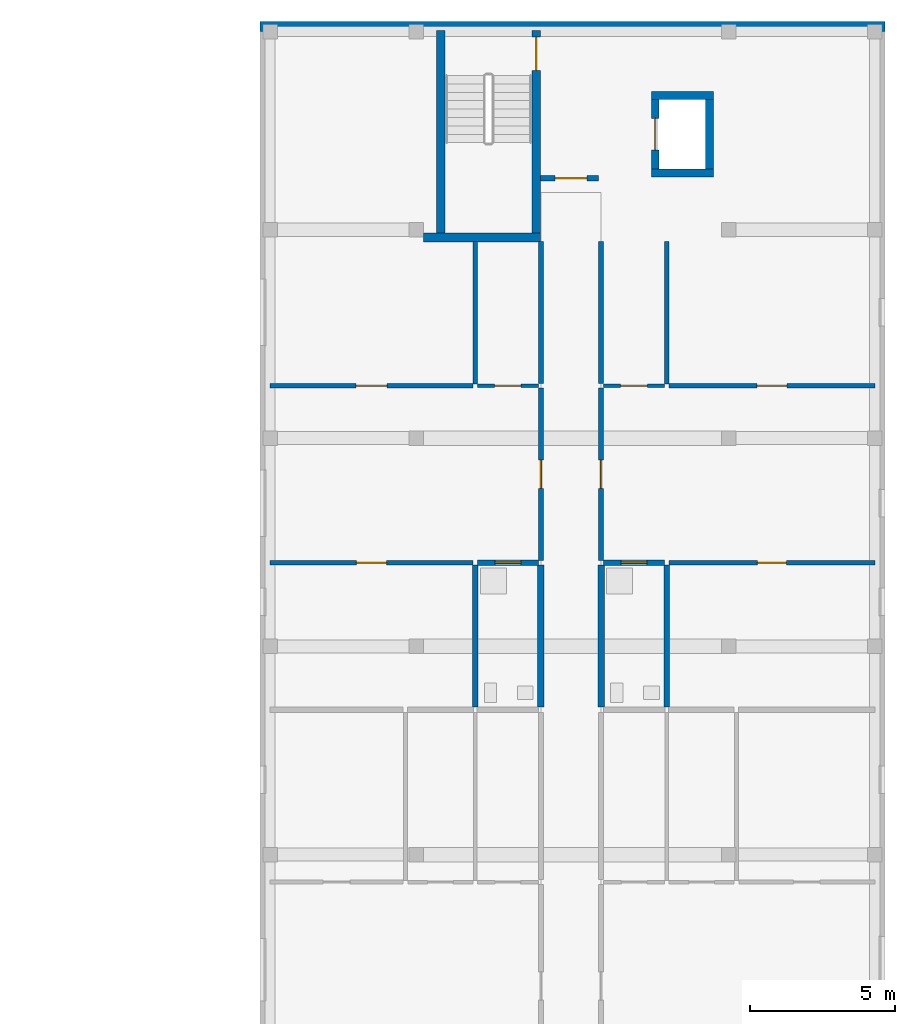
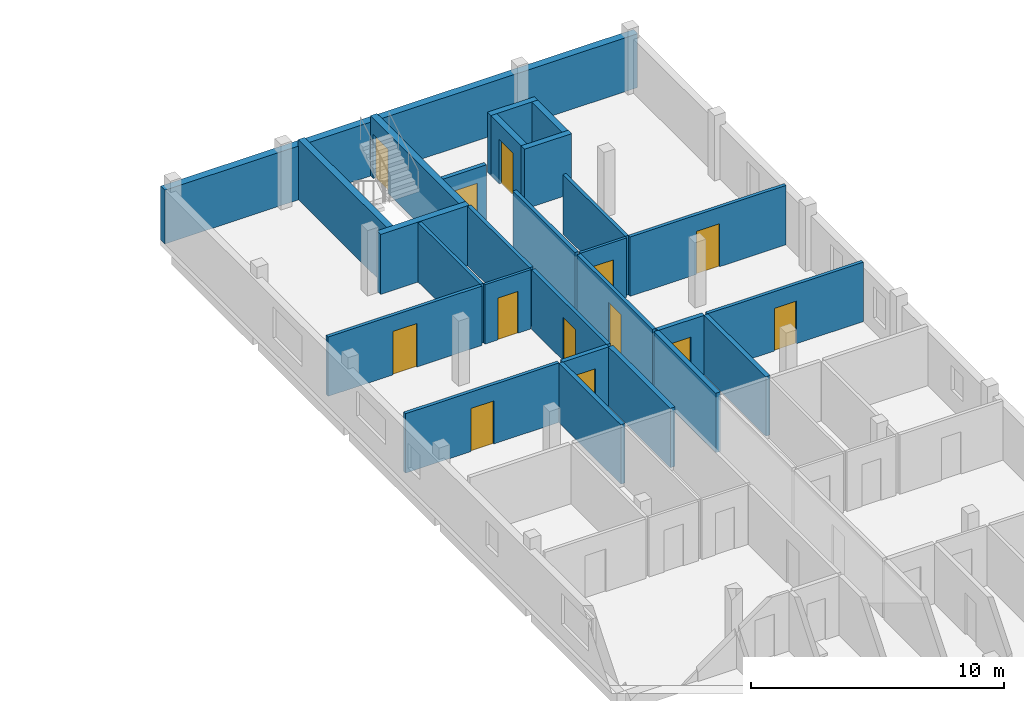
# One storey, part 18 of 29: 27 walls, 13 doors, 13 openings.
"""IFC4 building model written with IfcOpenShell, lengths in metres."""

from ifc_helpers import new_model, si_unit, derived_unit, direction, frame, frame_2d, origin, place, context, subcontext, project, spatial, rectangle, extrude, material, layer, layer_set, type_object, element, fill, save


model = new_model("IFC4")

# Units and contexts
model_context = context("Model", 3, precision=1e-05, world=origin(), true_north=direction((0.0, 1.0)))
body_context = subcontext(model_context, "Body", "Model", "MODEL_VIEW")
ifc_project = project(units=[si_unit("LENGTHUNIT", "METRE"), si_unit("AREAUNIT", "SQUARE_METRE"), si_unit("VOLUMEUNIT", "CUBIC_METRE"), si_unit("PLANEANGLEUNIT", "RADIAN"), si_unit("MASSUNIT", "GRAM", prefix="KILO"), derived_unit("THERMALTRANSMITTANCEUNIT", [(si_unit("MASSUNIT", "GRAM", prefix="KILO"), 1), (si_unit("TIMEUNIT", "SECOND"), -3), (si_unit("THERMODYNAMICTEMPERATUREUNIT", "KELVIN"), -1)])], contexts=[model_context])

# Site, building, storey
site_placement = place(None, origin())
site = spatial("IfcSite", under=ifc_project, at=site_placement, CompositionType="ELEMENT")
building_placement = place(site_placement, origin())
building = spatial("IfcBuilding", under=site, at=building_placement, Name="Ochrekiln Boulevard Commons", CompositionType="ELEMENT")
storey_placement = place(building_placement, frame((0.0, 0.0, 37.27490234375)))
storey = spatial("IfcBuildingStorey", under=building, at=storey_placement, Name="L11", CompositionType="ELEMENT", Elevation=37.27490234375)

# Wall
ifc_material_1 = material(Name="Iron-spot brown clinker brick masonry ASTM C216 Grade SW", Category="masonry")
ifc_layer_1 = layer(ifc_material_1, 0.340087890625)
ifc_layer_set_1 = layer_set([ifc_layer_1], Name="Iron-spot brown clinker brick masonry ASTM C216 Grade SW")
wall_type_1 = type_object("IfcWallType", Name="WL-EXT-IRON-340", PredefinedType="SOLIDWALL", material=ifc_layer_set_1)
wall_1_placement = place(storey_placement, frame((151.199951171875, 118.6298828125, 0.0), z_axis=(0.0, 0.0, 1.0), x_axis=(1.0, 0.0, 0.0)))
element("IfcWall", 1, at=wall_1_placement, inside=storey, type_object=wall_type_1, Name="Block B L11 N Exterior Wall", PredefinedType="SOLIDWALL", context=body_context, shape_type="SweptSolid", body=[
    extrude(rectangle(XDim=21.60009765625, YDim=0.340087890625, at=frame_2d((10.800048828125, 0.0))), origin(), (0.0, 0.0, 1.0), 2.60009765625),
])

# Wall, opening, door
ifc_material_2 = material(Name="Moisture-resistant cementitious tile backer wall")
ifc_layer_2 = layer(ifc_material_2, 0.199951171875)
ifc_layer_set_2 = layer_set([ifc_layer_2], Name="Moisture-resistant cementitious tile backer wall")
wall_type_2 = type_object("IfcWallType", Name="WL-PLM-200", PredefinedType="PLUMBINGWALL", material=ifc_layer_set_2)
wall_2_placement = place(storey_placement, frame((158.719970703125, 100.090087890625, 0.0), z_axis=(0.0, 0.0, 1.0), x_axis=(1.0, 0.0, 0.0)))
wall_2 = element("IfcWall", 2, at=wall_2_placement, inside=storey, type_object=wall_type_2, Name="L11 Interior Wall W-PW200", PredefinedType="PLUMBINGWALL", context=body_context, shape_type="SweptSolid", body=[
    extrude(rectangle(XDim=2.10693359375, YDim=0.199951171875, at=frame_2d((1.053466796875, 0.0))), origin(), (0.0, 0.0, 1.0), 2.8701171875),
])
opening_1_placement = place(wall_2_placement, frame((0.60498046875, 0.0, 0.0)))
opening_1 = element("IfcOpeningElement", 3, at=opening_1_placement, cuts=wall_2, Name="Opening D-L11-1276", PredefinedType="OPENING", context=body_context, shape_type="SweptSolid", body=[
    extrude(rectangle(XDim=0.889892578125, YDim=2.030029296875, at=frame_2d((0.44482421875, 1.01513671875))), frame((0.0, 0.10986328125, 0.0), z_axis=(0.0, -1.0, 0.0), x_axis=(1.0, 0.0, 0.0)), (0.0, 0.0, 1.0), 0.219970703125),
])
ifc_material_3 = material(Name="Solid core architectural oak door leaf")
door_type_1 = type_object("IfcDoorType", Name="DR-INT-BTH-089", OperationType="NOTDEFINED", PredefinedType="DOOR", material=ifc_material_3)
door_1_placement = place(opening_1_placement, frame((0.889892578125, 0.0, 0.0), z_axis=(0.0, 0.0, 1.0), x_axis=(-1.0, 0.0, 0.0)))
door_1 = element("IfcDoor", 4, at=door_1_placement, inside=storey, type_object=door_type_1, Name="L11 Interior Door to Apartment Bathroom", OperationType="SINGLE_SWING_RIGHT", OverallHeight=2.030029296875, OverallWidth=0.889892578125, PredefinedType="DOOR", context=body_context, shape_type="SweptSolid", body=[
    extrude(rectangle(XDim=0.889892578125, YDim=2.030029296875, at=frame_2d((0.44482421875, 1.01513671875))), frame((0.0, 0.02490234375, 0.0), z_axis=(0.0, -1.0, 0.0), x_axis=(1.0, 0.0, 0.0)), (0.0, 0.0, 1.0), 0.050048828125),
])
fill(opening_1, door_1)

# Wall
wall_3_placement = place(storey_placement, frame((158.639892578125, 95.097900390625, 0.0), z_axis=(0.0, 0.0, 1.0), x_axis=(0.0, 1.0, 0.0)))
element("IfcWall", 5, at=wall_3_placement, inside=storey, type_object=wall_type_2, Name="L11 Interior Wall W-PW200", PredefinedType="PLUMBINGWALL", context=body_context, shape_type="SweptSolid", body=[
    extrude(rectangle(XDim=4.912109375, YDim=0.199951171875, at=frame_2d((2.4560546875, 0.0))), origin(), (0.0, 0.0, 1.0), 2.8701171875),
])

# Wall, opening, door
wall_4_placement = place(storey_placement, frame((163.072998046875, 100.090087890625, 0.0), z_axis=(0.0, 0.0, 1.0), x_axis=(1.0, 0.0, 0.0)))
wall_4 = element("IfcWall", 6, at=wall_4_placement, inside=storey, type_object=wall_type_2, Name="L11 Interior Wall W-PW200", PredefinedType="PLUMBINGWALL", context=body_context, shape_type="SweptSolid", body=[
    extrude(rectangle(XDim=2.10693359375, YDim=0.199951171875, at=frame_2d((1.053466796875, 0.0))), origin(), (0.0, 0.0, 1.0), 2.8701171875),
])
opening_2_placement = place(wall_4_placement, frame((0.612060546875, 0.0, 0.0)))
opening_2 = element("IfcOpeningElement", 7, at=opening_2_placement, cuts=wall_4, Name="Opening D-L11-1287", PredefinedType="OPENING", context=body_context, shape_type="SweptSolid", body=[
    extrude(rectangle(XDim=0.889892578125, YDim=2.030029296875, at=frame_2d((0.44482421875, 1.01513671875))), frame((0.0, 0.10986328125, 0.0), z_axis=(0.0, -1.0, 0.0), x_axis=(1.0, 0.0, 0.0)), (0.0, 0.0, 1.0), 0.219970703125),
])
door_2_placement = place(opening_2_placement, frame((0.889892578125, 0.0, 0.0), z_axis=(0.0, 0.0, 1.0), x_axis=(-1.0, 0.0, 0.0)))
door_2 = element("IfcDoor", 8, at=door_2_placement, inside=storey, type_object=door_type_1, Name="L11 Interior Door to Apartment Bathroom", OperationType="SINGLE_SWING_LEFT", OverallHeight=2.030029296875, OverallWidth=0.889892578125, PredefinedType="DOOR", context=body_context, shape_type="SweptSolid", body=[
    extrude(rectangle(XDim=0.889892578125, YDim=2.030029296875, at=frame_2d((0.44482421875, 1.01513671875))), frame((0.0, 0.02490234375, 0.0), z_axis=(0.0, -1.0, 0.0), x_axis=(1.0, 0.0, 0.0)), (0.0, 0.0, 1.0), 0.050048828125),
])
fill(opening_2, door_2)

# Walls
wall_5_placement = place(storey_placement, frame((165.260009765625, 95.097900390625, 0.0), z_axis=(0.0, 0.0, 1.0), x_axis=(0.0, 1.0, 0.0)))
element("IfcWall", 9, at=wall_5_placement, inside=storey, type_object=wall_type_2, Name="L11 Interior Wall W-PW200", PredefinedType="PLUMBINGWALL", context=body_context, shape_type="SweptSolid", body=[
    extrude(rectangle(XDim=4.912109375, YDim=0.199951171875, at=frame_2d((2.4560546875, 0.0))), origin(), (0.0, 0.0, 1.0), 2.8701171875),
])
ifc_layer_3 = layer(ifc_material_2, 0.219970703125)
ifc_layer_set_3 = layer_set([ifc_layer_3], Name="Moisture-resistant cementitious tile backer wall")
wall_type_3 = type_object("IfcWallType", Name="WL-PLM-220", PredefinedType="PLUMBINGWALL", material=ifc_layer_set_3)
for number, where, z_axis, x_axis, name in (
    (10, (160.909912109375, 95.097900390625, 0.0), (0.0, 0.0, 1.0), (0.0, 1.0, 0.0), "L11 Interior Wall W-PW220"),
    (11, (162.989990234375, 95.097900390625, 0.0), (0.0, 0.0, 1.0), (0.0, 1.0, 0.0), "L11 Interior Wall W-PW220"),
):
    element("IfcWall", number, at=place(storey_placement, frame(where, z_axis=z_axis, x_axis=x_axis)), inside=storey, type_object=wall_type_3, Name=name, PredefinedType="PLUMBINGWALL", context=body_context, shape_type="SweptSolid", body=[
        extrude(rectangle(XDim=4.912109375, YDim=0.219970703125, at=frame_2d((2.4560546875, 0.0))), origin(), (0.0, 0.0, 1.0), 2.8701171875),
    ])

# Wall, opening, door
ifc_material_4 = material(Name="Fire-rated Type X gypsum board on steel studs", Category="steel")
ifc_layer_4 = layer(ifc_material_4, 0.1650390625)
ifc_layer_set_4 = layer_set([ifc_layer_4], Name="Fire-rated Type X gypsum board on steel studs")
wall_type_4 = type_object("IfcWallType", Name="WL-PT-CORR-165", PredefinedType="PARTITIONING", material=ifc_layer_set_4)
wall_6_placement = place(storey_placement, frame((160.909912109375, 100.169921875, 0.0), z_axis=(0.0, 0.0, 1.0), x_axis=(0.0, 1.0, 0.0)))
wall_6 = element("IfcWall", 12, at=wall_6_placement, inside=storey, type_object=wall_type_4, Name="L11 Interior Wall W-PC165", PredefinedType="PARTITIONING", context=body_context, shape_type="SweptSolid", body=[
    extrude(rectangle(XDim=5.9580078125, YDim=0.1650390625, at=frame_2d((2.97900390625, 0.0))), origin(), (0.0, 0.0, 1.0), 2.8701171875),
])
opening_3_placement = place(wall_6_placement, frame((2.489013671875, 0.0, 0.0)))
opening_3 = element("IfcOpeningElement", 13, at=opening_3_placement, cuts=wall_6, Name="Opening D-L11-1266", PredefinedType="OPENING", context=body_context, shape_type="SweptSolid", body=[
    extrude(rectangle(XDim=0.97998046875, YDim=2.080078125, at=frame_2d((0.489990234375, 1.0400390625))), frame((0.0, 0.092529296875, 0.0), z_axis=(0.0, -1.0, 0.0), x_axis=(1.0, 0.0, 0.0)), (0.0, 0.0, 1.0), 0.18505859375),
])
door_type_2 = type_object("IfcDoorType", Name="DR-APT-60", OperationType="NOTDEFINED", PredefinedType="DOOR", material=ifc_material_3)
door_3_placement = place(opening_3_placement, origin())
door_3 = element("IfcDoor", 14, at=door_3_placement, inside=storey, type_object=door_type_2, Name="L11 Interior Door to Two-Bedroom Apartment Living Room", OperationType="SINGLE_SWING_RIGHT", OverallHeight=2.080078125, OverallWidth=0.97998046875, PredefinedType="DOOR", context=body_context, shape_type="SweptSolid", body=[
    extrude(rectangle(XDim=0.97998046875, YDim=2.080078125, at=frame_2d((0.489990234375, 1.0400390625))), frame((0.0, 0.02490234375, 0.0), z_axis=(0.0, -1.0, 0.0), x_axis=(1.0, 0.0, 0.0)), (0.0, 0.0, 1.0), 0.050048828125),
])
fill(opening_3, door_3)

# Wall
wall_7_placement = place(storey_placement, frame((160.909912109375, 106.2880859375, 0.0), z_axis=(0.0, 0.0, 1.0), x_axis=(0.0, 1.0, 0.0)))
element("IfcWall", 15, at=wall_7_placement, inside=storey, type_object=wall_type_4, Name="L11 Interior Wall W-PC165", PredefinedType="PARTITIONING", context=body_context, shape_type="SweptSolid", body=[
    extrude(rectangle(XDim=4.911865234375, YDim=0.1650390625, at=frame_2d((2.4560546875, 0.0))), origin(), (0.0, 0.0, 1.0), 2.8701171875),
])

# Wall, opening, door
wall_8_placement = place(storey_placement, frame((162.989990234375, 100.169921875, 0.0), z_axis=(0.0, 0.0, 1.0), x_axis=(0.0, 1.0, 0.0)))
wall_8 = element("IfcWall", 16, at=wall_8_placement, inside=storey, type_object=wall_type_4, Name="L11 Interior Wall W-PC165", PredefinedType="PARTITIONING", context=body_context, shape_type="SweptSolid", body=[
    extrude(rectangle(XDim=5.9580078125, YDim=0.1650390625, at=frame_2d((2.97900390625, 0.0))), origin(), (0.0, 0.0, 1.0), 2.8701171875),
])
opening_4_placement = place(wall_8_placement, frame((2.489013671875, 0.0, 0.0)))
opening_4 = element("IfcOpeningElement", 17, at=opening_4_placement, cuts=wall_8, Name="Opening D-L11-1268", PredefinedType="OPENING", context=body_context, shape_type="SweptSolid", body=[
    extrude(rectangle(XDim=0.97998046875, YDim=2.080078125, at=frame_2d((0.489990234375, 1.0400390625))), frame((0.0, 0.092529296875, 0.0), z_axis=(0.0, -1.0, 0.0), x_axis=(1.0, 0.0, 0.0)), (0.0, 0.0, 1.0), 0.18505859375),
])
door_4_placement = place(opening_4_placement, frame((0.97998046875, 0.0, 0.0), z_axis=(0.0, 0.0, 1.0), x_axis=(-1.0, 0.0, 0.0)))
door_4 = element("IfcDoor", 18, at=door_4_placement, inside=storey, type_object=door_type_2, Name="L11 Interior Door to Two-Bedroom Apartment Living Room", OperationType="SINGLE_SWING_RIGHT", OverallHeight=2.080078125, OverallWidth=0.97998046875, PredefinedType="DOOR", context=body_context, shape_type="SweptSolid", body=[
    extrude(rectangle(XDim=0.97998046875, YDim=2.080078125, at=frame_2d((0.489990234375, 1.0400390625))), frame((0.0, 0.02490234375, 0.0), z_axis=(0.0, -1.0, 0.0), x_axis=(1.0, 0.0, 0.0)), (0.0, 0.0, 1.0), 0.050048828125),
])
fill(opening_4, door_4)

# Wall
wall_9_placement = place(storey_placement, frame((162.989990234375, 106.2880859375, 0.0), z_axis=(0.0, 0.0, 1.0), x_axis=(0.0, 1.0, 0.0)))
element("IfcWall", 19, at=wall_9_placement, inside=storey, type_object=wall_type_4, Name="L11 Interior Wall W-PC165", PredefinedType="PARTITIONING", context=body_context, shape_type="SweptSolid", body=[
    extrude(rectangle(XDim=4.911865234375, YDim=0.1650390625, at=frame_2d((2.4560546875, 0.0))), origin(), (0.0, 0.0, 1.0), 2.8701171875),
])

# Wall, opening, door
ifc_layer_5 = layer(ifc_material_4, 0.18994140625)
ifc_layer_set_5 = layer_set([ifc_layer_5], Name="Fire-rated Type X gypsum board on steel studs")
wall_type_5 = type_object("IfcWallType", Name="WL-PT-LBY-190", PredefinedType="PARTITIONING", material=ifc_layer_set_5)
wall_10_placement = place(storey_placement, frame((160.89990234375, 113.3798828125, 0.0), z_axis=(0.0, 0.0, 1.0), x_axis=(1.0, 0.0, 0.0)))
wall_10 = element("IfcWall", 20, at=wall_10_placement, inside=storey, type_object=wall_type_5, Name="L11 Interior Wall W-PL190", PredefinedType="PARTITIONING", context=body_context, shape_type="SweptSolid", body=[
    extrude(rectangle(XDim=2.0, YDim=0.18994140625, at=frame_2d((1.0, 0.0))), origin(), (0.0, 0.0, 1.0), 2.8701171875),
])
opening_5_placement = place(wall_10_placement, frame((0.5, 0.0, 0.0)))
opening_5 = element("IfcOpeningElement", 21, at=opening_5_placement, cuts=wall_10, Name="Opening D-L11-1263", PredefinedType="OPENING", context=body_context, shape_type="SweptSolid", body=[
    extrude(rectangle(XDim=1.10009765625, YDim=2.1201171875, at=frame_2d((0.550048828125, 1.06005859375))), frame((0.0, 0.10498046875, 0.0), z_axis=(0.0, -1.0, 0.0), x_axis=(1.0, 0.0, 0.0)), (0.0, 0.0, 1.0), 0.2099609375),
])
ifc_material_5 = material(Name="Hollow metal fire-rated steel door assembly", Category="steel")
door_type_3 = type_object("IfcDoorType", Name="DR-LOBBY-60", OperationType="NOTDEFINED", PredefinedType="DOOR", material=ifc_material_5)
door_5_placement = place(opening_5_placement, origin())
door_5 = element("IfcDoor", 22, at=door_5_placement, inside=storey, type_object=door_type_3, Name="L11 Interior Door to Fire Service Access Elevator Lobby", OperationType="SINGLE_SWING_LEFT", OverallHeight=2.1201171875, OverallWidth=1.10009765625, PredefinedType="DOOR", context=body_context, shape_type="SweptSolid", body=[
    extrude(rectangle(XDim=1.10009765625, YDim=2.1201171875, at=frame_2d((0.550048828125, 1.06005859375))), frame((0.0, 0.02490234375, 0.0), z_axis=(0.0, -1.0, 0.0), x_axis=(1.0, 0.0, 0.0)), (0.0, 0.0, 1.0), 0.050048828125),
])
fill(opening_5, door_5)

ifc_layer_6 = layer(ifc_material_4, 0.1201171875)
ifc_layer_set_6 = layer_set([ifc_layer_6], Name="Fire-rated Type X gypsum board on steel studs")
wall_type_6 = type_object("IfcWallType", Name="WL-PT-LGT-120", PredefinedType="PARTITIONING", material=ifc_layer_set_6)
wall_11_placement = place(storey_placement, frame((158.719970703125, 106.2080078125, 0.0), z_axis=(0.0, 0.0, 1.0), x_axis=(1.0, 0.0, 0.0)))
wall_11 = element("IfcWall", 23, at=wall_11_placement, inside=storey, type_object=wall_type_6, Name="L11 Interior Wall W-PL120", PredefinedType="PARTITIONING", context=body_context, shape_type="SweptSolid", body=[
    extrude(rectangle(XDim=2.10693359375, YDim=0.1201171875, at=frame_2d((1.053466796875, 0.0))), origin(), (0.0, 0.0, 1.0), 2.8701171875),
])
opening_6_placement = place(wall_11_placement, frame((0.590087890625, 0.0, 0.0)))
opening_6 = element("IfcOpeningElement", 24, at=opening_6_placement, cuts=wall_11, Name="Opening D-L11-1277", PredefinedType="OPENING", context=body_context, shape_type="SweptSolid", body=[
    extrude(rectangle(XDim=0.919921875, YDim=2.02001953125, at=frame_2d((0.4599609375, 1.010009765625))), frame((0.0, 0.070068359375, 0.0), z_axis=(0.0, -1.0, 0.0), x_axis=(1.0, 0.0, 0.0)), (0.0, 0.0, 1.0), 0.14013671875),
])
door_type_4 = type_object("IfcDoorType", Name="DR-INT-KIT-092", OperationType="NOTDEFINED", PredefinedType="DOOR", material=ifc_material_3)
door_6_placement = place(opening_6_placement, origin())
door_6 = element("IfcDoor", 25, at=door_6_placement, inside=storey, type_object=door_type_4, Name="L11 Interior Door to Apartment Kitchen", OperationType="SINGLE_SWING_LEFT", OverallHeight=2.02001953125, OverallWidth=0.919921875, PredefinedType="DOOR", context=body_context, shape_type="SweptSolid", body=[
    extrude(rectangle(XDim=0.919921875, YDim=2.02001953125, at=frame_2d((0.4599609375, 1.010009765625))), frame((0.0, 0.02490234375, 0.0), z_axis=(0.0, -1.0, 0.0), x_axis=(1.0, 0.0, 0.0)), (0.0, 0.0, 1.0), 0.050048828125),
])
fill(opening_6, door_6)

wall_12_placement = place(storey_placement, frame((163.072998046875, 106.2080078125, 0.0), z_axis=(0.0, 0.0, 1.0), x_axis=(1.0, 0.0, 0.0)))
wall_12 = element("IfcWall", 26, at=wall_12_placement, inside=storey, type_object=wall_type_6, Name="L11 Interior Wall W-PL120", PredefinedType="PARTITIONING", context=body_context, shape_type="SweptSolid", body=[
    extrude(rectangle(XDim=2.10693359375, YDim=0.1201171875, at=frame_2d((1.053466796875, 0.0))), origin(), (0.0, 0.0, 1.0), 2.8701171875),
])
opening_7_placement = place(wall_12_placement, frame((0.596923828125, 0.0, 0.0)))
opening_7 = element("IfcOpeningElement", 27, at=opening_7_placement, cuts=wall_12, Name="Opening D-L11-1288", PredefinedType="OPENING", context=body_context, shape_type="SweptSolid", body=[
    extrude(rectangle(XDim=0.919921875, YDim=2.02001953125, at=frame_2d((0.4599609375, 1.010009765625))), frame((0.0, 0.070068359375, 0.0), z_axis=(0.0, -1.0, 0.0), x_axis=(1.0, 0.0, 0.0)), (0.0, 0.0, 1.0), 0.14013671875),
])
door_7_placement = place(opening_7_placement, origin())
door_7 = element("IfcDoor", 28, at=door_7_placement, inside=storey, type_object=door_type_4, Name="L11 Interior Door to Apartment Kitchen", OperationType="SINGLE_SWING_RIGHT", OverallHeight=2.02001953125, OverallWidth=0.919921875, PredefinedType="DOOR", context=body_context, shape_type="SweptSolid", body=[
    extrude(rectangle(XDim=0.919921875, YDim=2.02001953125, at=frame_2d((0.4599609375, 1.010009765625))), frame((0.0, 0.02490234375, 0.0), z_axis=(0.0, -1.0, 0.0), x_axis=(1.0, 0.0, 0.0)), (0.0, 0.0, 1.0), 0.050048828125),
])
fill(opening_7, door_7)

ifc_layer_7 = layer(ifc_material_4, 0.14990234375)
ifc_layer_set_7 = layer_set([ifc_layer_7], Name="Fire-rated Type X gypsum board on steel studs")
wall_type_7 = type_object("IfcWallType", Name="WL-PT-STD-150", PredefinedType="PARTITIONING", material=ifc_layer_set_7)
wall_13_placement = place(storey_placement, frame((151.5400390625, 100.090087890625, 0.0), z_axis=(0.0, 0.0, 1.0), x_axis=(1.0, 0.0, 0.0)))
wall_13 = element("IfcWall", 29, at=wall_13_placement, inside=storey, type_object=wall_type_7, Name="L11 Interior Wall W-PS150", PredefinedType="PARTITIONING", context=body_context, shape_type="SweptSolid", body=[
    extrude(rectangle(XDim=7.02001953125, YDim=0.14990234375, at=frame_2d((3.510009765625, 0.0))), origin(), (0.0, 0.0, 1.0), 2.8701171875),
])
opening_8_placement = place(wall_13_placement, frame((2.9951171875, 0.0, 0.0)))
opening_8 = element("IfcOpeningElement", 30, at=opening_8_placement, cuts=wall_13, Name="Opening D-L11-1278", PredefinedType="OPENING", context=body_context, shape_type="SweptSolid", body=[
    extrude(rectangle(XDim=1.0400390625, YDim=2.080078125, at=frame_2d((0.52001953125, 1.0400390625))), frame((0.0, 0.0849609375, 0.0), z_axis=(0.0, -1.0, 0.0), x_axis=(1.0, 0.0, 0.0)), (0.0, 0.0, 1.0), 0.169921875),
])
door_type_5 = type_object("IfcDoorType", Name="DR-INT-BED-104", OperationType="NOTDEFINED", PredefinedType="DOOR", material=ifc_material_3)
door_8_placement = place(opening_8_placement, frame((1.0400390625, 0.0, 0.0), z_axis=(0.0, 0.0, 1.0), x_axis=(-1.0, 0.0, 0.0)))
door_8 = element("IfcDoor", 31, at=door_8_placement, inside=storey, type_object=door_type_5, Name="L11 Interior Door to Primary Apartment Bedroom", OperationType="SINGLE_SWING_RIGHT", OverallHeight=2.080078125, OverallWidth=1.0400390625, PredefinedType="DOOR", context=body_context, shape_type="SweptSolid", body=[
    extrude(rectangle(XDim=1.0400390625, YDim=2.080078125, at=frame_2d((0.52001953125, 1.0400390625))), frame((0.0, 0.02490234375, 0.0), z_axis=(0.0, -1.0, 0.0), x_axis=(1.0, 0.0, 0.0)), (0.0, 0.0, 1.0), 0.050048828125),
])
fill(opening_8, door_8)

wall_14_placement = place(storey_placement, frame((151.5400390625, 106.2080078125, 0.0), z_axis=(0.0, 0.0, 1.0), x_axis=(1.0, 0.0, 0.0)))
wall_14 = element("IfcWall", 32, at=wall_14_placement, inside=storey, type_object=wall_type_7, Name="L11 Interior Wall W-PS150", PredefinedType="PARTITIONING", context=body_context, shape_type="SweptSolid", body=[
    extrude(rectangle(XDim=7.02001953125, YDim=0.14990234375, at=frame_2d((3.510009765625, 0.0))), origin(), (0.0, 0.0, 1.0), 2.8701171875),
])
opening_9_placement = place(wall_14_placement, frame((2.97509765625, 0.0, 0.0)))
opening_9 = element("IfcOpeningElement", 33, at=opening_9_placement, cuts=wall_14, Name="Opening D-L11-1279", PredefinedType="OPENING", context=body_context, shape_type="SweptSolid", body=[
    extrude(rectangle(XDim=1.080078125, YDim=2.10009765625, at=frame_2d((0.5400390625, 1.050048828125))), frame((0.0, 0.0849609375, 0.0), z_axis=(0.0, -1.0, 0.0), x_axis=(1.0, 0.0, 0.0)), (0.0, 0.0, 1.0), 0.169921875),
])
door_type_6 = type_object("IfcDoorType", Name="DR-INT-BED-108", OperationType="NOTDEFINED", PredefinedType="DOOR", material=ifc_material_3)
door_9_placement = place(opening_9_placement, origin())
door_9 = element("IfcDoor", 34, at=door_9_placement, inside=storey, type_object=door_type_6, Name="L11 Interior Door to Secondary Apartment Bedroom", OperationType="SINGLE_SWING_LEFT", OverallHeight=2.10009765625, OverallWidth=1.080078125, PredefinedType="DOOR", context=body_context, shape_type="SweptSolid", body=[
    extrude(rectangle(XDim=1.080078125, YDim=2.10009765625, at=frame_2d((0.5400390625, 1.050048828125))), frame((0.0, 0.02490234375, 0.0), z_axis=(0.0, -1.0, 0.0), x_axis=(1.0, 0.0, 0.0)), (0.0, 0.0, 1.0), 0.050048828125),
])
fill(opening_9, door_9)

# Wall
wall_15_placement = place(storey_placement, frame((158.639892578125, 106.26806640625, 0.0), z_axis=(0.0, 0.0, 1.0), x_axis=(0.0, 1.0, 0.0)))
element("IfcWall", 35, at=wall_15_placement, inside=storey, type_object=wall_type_7, Name="L11 Interior Wall W-PS150", PredefinedType="PARTITIONING", context=body_context, shape_type="SweptSolid", body=[
    extrude(rectangle(XDim=4.931884765625, YDim=0.14990234375, at=frame_2d((2.4658203125, 0.0))), origin(), (0.0, 0.0, 1.0), 2.8701171875),
])

# Wall, opening, door
wall_16_placement = place(storey_placement, frame((165.340087890625, 100.090087890625, 0.0), z_axis=(0.0, 0.0, 1.0), x_axis=(1.0, 0.0, 0.0)))
wall_16 = element("IfcWall", 36, at=wall_16_placement, inside=storey, type_object=wall_type_7, Name="L11 Interior Wall W-PS150", PredefinedType="PARTITIONING", context=body_context, shape_type="SweptSolid", body=[
    extrude(rectangle(XDim=7.119873046875, YDim=0.14990234375, at=frame_2d((3.56005859375, 0.0))), origin(), (0.0, 0.0, 1.0), 2.8701171875),
])
opening_10_placement = place(wall_16_placement, frame((3.054931640625, 0.0, 0.0)))
opening_10 = element("IfcOpeningElement", 37, at=opening_10_placement, cuts=wall_16, Name="Opening D-L11-1289", PredefinedType="OPENING", context=body_context, shape_type="SweptSolid", body=[
    extrude(rectangle(XDim=1.0, YDim=2.06005859375, at=frame_2d((0.5, 1.030029296875))), frame((0.0, 0.0849609375, 0.0), z_axis=(0.0, -1.0, 0.0), x_axis=(1.0, 0.0, 0.0)), (0.0, 0.0, 1.0), 0.169921875),
])
door_type_7 = type_object("IfcDoorType", Name="DR-INT-BED-100", OperationType="NOTDEFINED", PredefinedType="DOOR", material=ifc_material_3)
door_10_placement = place(opening_10_placement, frame((1.0, 0.0, 0.0), z_axis=(0.0, 0.0, 1.0), x_axis=(-1.0, 0.0, 0.0)))
door_10 = element("IfcDoor", 38, at=door_10_placement, inside=storey, type_object=door_type_7, Name="L11 Interior Door to Primary Apartment Bedroom", OperationType="SINGLE_SWING_LEFT", OverallHeight=2.06005859375, OverallWidth=1.0, PredefinedType="DOOR", context=body_context, shape_type="SweptSolid", body=[
    extrude(rectangle(XDim=1.0, YDim=2.06005859375, at=frame_2d((0.5, 1.030029296875))), frame((0.0, 0.02490234375, 0.0), z_axis=(0.0, -1.0, 0.0), x_axis=(1.0, 0.0, 0.0)), (0.0, 0.0, 1.0), 0.050048828125),
])
fill(opening_10, door_10)

wall_17_placement = place(storey_placement, frame((165.340087890625, 106.2080078125, 0.0), z_axis=(0.0, 0.0, 1.0), x_axis=(1.0, 0.0, 0.0)))
wall_17 = element("IfcWall", 39, at=wall_17_placement, inside=storey, type_object=wall_type_7, Name="L11 Interior Wall W-PS150", PredefinedType="PARTITIONING", context=body_context, shape_type="SweptSolid", body=[
    extrude(rectangle(XDim=7.119873046875, YDim=0.14990234375, at=frame_2d((3.56005859375, 0.0))), origin(), (0.0, 0.0, 1.0), 2.8701171875),
])
opening_11_placement = place(wall_17_placement, frame((3.034912109375, 0.0, 0.0)))
opening_11 = element("IfcOpeningElement", 40, at=opening_11_placement, cuts=wall_17, Name="Opening D-L11-1290", PredefinedType="OPENING", context=body_context, shape_type="SweptSolid", body=[
    extrude(rectangle(XDim=1.0400390625, YDim=2.080078125, at=frame_2d((0.52001953125, 1.0400390625))), frame((0.0, 0.0849609375, 0.0), z_axis=(0.0, -1.0, 0.0), x_axis=(1.0, 0.0, 0.0)), (0.0, 0.0, 1.0), 0.169921875),
])
door_11_placement = place(opening_11_placement, origin())
door_11 = element("IfcDoor", 41, at=door_11_placement, inside=storey, type_object=door_type_5, Name="L11 Interior Door to Secondary Apartment Bedroom", OperationType="SINGLE_SWING_RIGHT", OverallHeight=2.080078125, OverallWidth=1.0400390625, PredefinedType="DOOR", context=body_context, shape_type="SweptSolid", body=[
    extrude(rectangle(XDim=1.0400390625, YDim=2.080078125, at=frame_2d((0.52001953125, 1.0400390625))), frame((0.0, 0.02490234375, 0.0), z_axis=(0.0, -1.0, 0.0), x_axis=(1.0, 0.0, 0.0)), (0.0, 0.0, 1.0), 0.050048828125),
])
fill(opening_11, door_11)

# Walls
wall_18_placement = place(storey_placement, frame((165.260009765625, 106.26806640625, 0.0), z_axis=(0.0, 0.0, 1.0), x_axis=(0.0, 1.0, 0.0)))
element("IfcWall", 42, at=wall_18_placement, inside=storey, type_object=wall_type_7, Name="L11 Interior Wall W-PS150", PredefinedType="PARTITIONING", context=body_context, shape_type="SweptSolid", body=[
    extrude(rectangle(XDim=4.931884765625, YDim=0.14990234375, at=frame_2d((2.4658203125, 0.0))), origin(), (0.0, 0.0, 1.0), 2.8701171875),
])
ifc_material_6 = material(Name="Concrete C40/50", Category="concrete")
ifc_layer_8 = layer(ifc_material_6, 0.27490234375)
ifc_layer_set_8 = layer_set([ifc_layer_8], Name="Concrete C40/50")
wall_type_8 = type_object("IfcWallType", Name="WL-SH-275", PredefinedType="SHEAR", material=ifc_layer_set_8)
for number, where, z_axis, x_axis, name in (
    (43, (164.72509765625, 113.5625, 0.0), (0.0, 0.0, 1.0), (1.0, 0.0, 0.0), "Elevator FF-B2 L11 Hoistway Shear Wall"),
    (44, (164.72509765625, 116.237548828125, 0.0), (0.0, 0.0, 1.0), (1.0, 0.0, 0.0), "Elevator FF-B2 L11 Hoistway Shear Wall"),
):
    element("IfcWall", number, at=place(storey_placement, frame(where, z_axis=z_axis, x_axis=x_axis)), inside=storey, type_object=wall_type_8, Name=name, PredefinedType="SHEAR", context=body_context, shape_type="SweptSolid", body=[
        extrude(rectangle(XDim=2.14990234375, YDim=0.27490234375, at=frame_2d((1.074951171875, 0.0))), origin(), (0.0, 0.0, 1.0), 2.900146484375),
    ])

# Wall, opening, door
wall_19_placement = place(storey_placement, frame((164.862548828125, 113.699951171875, 0.0), z_axis=(0.0, 0.0, 1.0), x_axis=(0.0, 1.0, 0.0)))
wall_19 = element("IfcWall", 45, at=wall_19_placement, inside=storey, type_object=wall_type_8, Name="Elevator FF-B2 L11 Hoistway Shear Wall", PredefinedType="SHEAR", context=body_context, shape_type="SweptSolid", body=[
    extrude(rectangle(XDim=2.400146484375, YDim=0.27490234375, at=frame_2d((1.2001953125, 0.0))), origin(), (0.0, 0.0, 1.0), 2.900146484375),
])
opening_12_placement = place(wall_19_placement, frame((0.64990234375, 0.0, 0.0)))
opening_12 = element("IfcOpeningElement", 46, at=opening_12_placement, cuts=wall_19, Name="Opening LD-FF-B2-L11", PredefinedType="OPENING", context=body_context, shape_type="SweptSolid", body=[
    extrude(rectangle(XDim=1.10009765625, YDim=2.14990234375, at=frame_2d((0.550048828125, 1.074951171875))), frame((0.0, 0.1474609375, 0.0), z_axis=(0.0, -1.0, 0.0), x_axis=(1.0, 0.0, 0.0)), (0.0, 0.0, 1.0), 0.294921875),
])
ifc_material_7 = material(Name="Brushed stainless steel 316 elevator cab and doors", Category="steel")
door_type_8 = type_object("IfcDoorType", Name="DR-LIFT-LD90", OperationType="SLIDING_TO_LEFT", PredefinedType="DOOR", material=ifc_material_7)
door_12_placement = place(opening_12_placement, origin())
door_12 = element("IfcDoor", 47, at=door_12_placement, inside=storey, type_object=door_type_8, Name="Elevator FF-B2 L11 Sliding Landing Door LD-FF-B2-L11", OperationType="SLIDING_TO_LEFT", OverallHeight=2.14990234375, OverallWidth=1.10009765625, PredefinedType="DOOR", context=body_context, shape_type="SweptSolid", body=[
    extrude(rectangle(XDim=1.10009765625, YDim=2.14990234375, at=frame_2d((0.550048828125, 1.074951171875))), frame((0.0, 0.02490234375, 0.0), z_axis=(0.0, -1.0, 0.0), x_axis=(1.0, 0.0, 0.0)), (0.0, 0.0, 1.0), 0.050048828125),
])
fill(opening_12, door_12)

# Walls
wall_20_placement = place(storey_placement, frame((166.737548828125, 113.699951171875, 0.0), z_axis=(0.0, 0.0, 1.0), x_axis=(0.0, 1.0, 0.0)))
element("IfcWall", 48, at=wall_20_placement, inside=storey, type_object=wall_type_8, Name="Elevator FF-B2 L11 Hoistway Shear Wall", PredefinedType="SHEAR", context=body_context, shape_type="SweptSolid", body=[
    extrude(rectangle(XDim=2.400146484375, YDim=0.27490234375, at=frame_2d((1.2001953125, 0.0))), origin(), (0.0, 0.0, 1.0), 2.900146484375),
])
ifc_layer_9 = layer(ifc_material_6, 0.300048828125)
ifc_layer_set_9 = layer_set([ifc_layer_9], Name="Concrete C40/50")
wall_type_9 = type_object("IfcWallType", Name="WL-SH-300", PredefinedType="SHEAR", material=ifc_layer_set_9)
wall_21_placement = place(storey_placement, frame((156.85009765625, 111.330078125, 0.0), z_axis=(0.0, 0.0, 1.0), x_axis=(1.0, 0.0, 0.0)))
element("IfcWall", 49, at=wall_21_placement, inside=storey, type_object=wall_type_9, Name="Stair ST-B2 L11 Core Shear Wall S", PredefinedType="SHEAR", context=body_context, shape_type="SweptSolid", body=[
    extrude(rectangle(XDim=4.0498046875, YDim=0.300048828125, at=frame_2d((2.02490234375, 0.0))), origin(), (0.0, 0.0, 1.0), 2.900146484375),
])
wall_22_placement = place(storey_placement, frame((157.449951171875, 111.47998046875, 0.0), z_axis=(0.0, 0.0, 1.0), x_axis=(0.0, 1.0, 0.0)))
element("IfcWall", 50, at=wall_22_placement, inside=storey, type_object=wall_type_9, Name="Stair ST-B2 L11 Core Shear Wall W", PredefinedType="SHEAR", context=body_context, shape_type="SweptSolid", body=[
    extrude(rectangle(XDim=7.0, YDim=0.300048828125, at=frame_2d((3.5, 0.0))), origin(), (0.0, 0.0, 1.0), 2.900146484375),
])

# Wall, opening, door
wall_23_placement = place(storey_placement, frame((160.75, 111.47998046875, 0.0), z_axis=(0.0, 0.0, 1.0), x_axis=(0.0, 1.0, 0.0)))
wall_23 = element("IfcWall", 51, at=wall_23_placement, inside=storey, type_object=wall_type_9, Name="Stair ST-B2 L11 Core Shear Wall E", PredefinedType="SHEAR", context=body_context, shape_type="SweptSolid", body=[
    extrude(rectangle(XDim=7.0, YDim=0.300048828125, at=frame_2d((3.5, 0.0))), origin(), (0.0, 0.0, 1.0), 2.900146484375),
])
opening_13_placement = place(wall_23_placement, frame((5.625, 0.0, 0.0)))
opening_13 = element("IfcOpeningElement", 52, at=opening_13_placement, cuts=wall_23, Name="Opening D-L11-ST-B2", PredefinedType="OPENING", context=body_context, shape_type="SweptSolid", body=[
    extrude(rectangle(XDim=1.14990234375, YDim=2.1201171875, at=frame_2d((0.574951171875, 1.06005859375))), frame((0.0, 0.159912109375, 0.0), z_axis=(0.0, -1.0, 0.0), x_axis=(1.0, 0.0, 0.0)), (0.0, 0.0, 1.0), 0.320068359375),
])
door_type_9 = type_object("IfcDoorType", Name="DR-STAIR-90", OperationType="NOTDEFINED", PredefinedType="DOOR", material=ifc_material_5)
door_13_placement = place(opening_13_placement, origin())
door_13 = element("IfcDoor", 53, at=door_13_placement, inside=storey, type_object=door_type_9, Name="Enclosed Exit Stair ST-B2 L11 Rated Door", OperationType="SINGLE_SWING_LEFT", OverallHeight=2.1201171875, OverallWidth=1.14990234375, PredefinedType="DOOR", context=body_context, shape_type="SweptSolid", body=[
    extrude(rectangle(XDim=1.14990234375, YDim=2.1201171875, at=frame_2d((0.574951171875, 1.06005859375))), frame((0.0, 0.02490234375, 0.0), z_axis=(0.0, -1.0, 0.0), x_axis=(1.0, 0.0, 0.0)), (0.0, 0.0, 1.0), 0.050048828125),
])
fill(opening_13, door_13)

save(model, "model.ifc")
